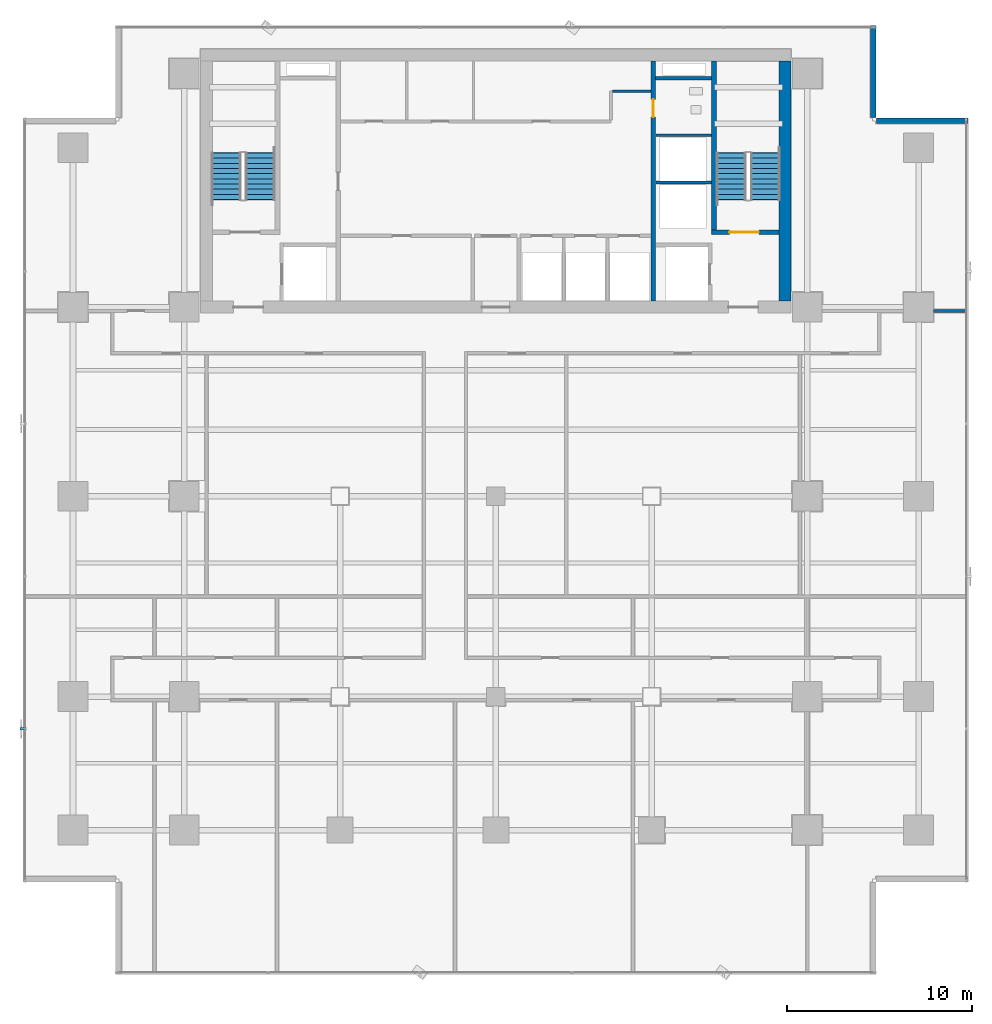
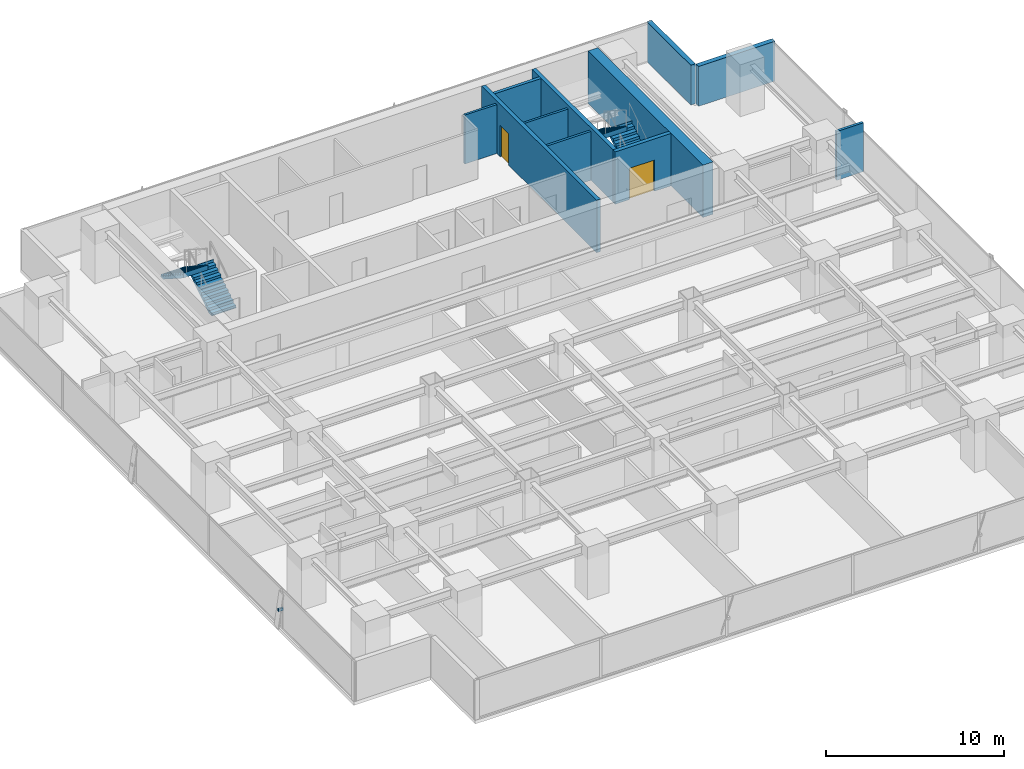
# One storey, part 30 of 37: 11 walls, 4 stair flights, 2 doors, 1 discrete accessory, 2 openings, 2 elements without a shape of their own.
"""IFC4 building model written with IfcOpenShell, lengths in metres."""

from ifc_helpers import new_model, si_unit, direction, frame, frame_2d, origin, origin_2d, place, context, subcontext, project, spatial, polyline, rectangle, outline, extrude, source, transform, mapped, material, layer, layer_set, material_profile, profile_set, type_object, element, fill, aggregate, save


model = new_model("IFC4")

# Units and contexts
model_context = context("Model", 3, precision=1e-05, world=origin(), true_north=direction((0.0, 1.0)))
body_context = subcontext(model_context, "Body", "Model", "MODEL_VIEW")
ifc_project = project(units=[si_unit("LENGTHUNIT", "METRE"), si_unit("AREAUNIT", "SQUARE_METRE"), si_unit("VOLUMEUNIT", "CUBIC_METRE"), si_unit("PLANEANGLEUNIT", "RADIAN"), si_unit("MASSUNIT", "GRAM", prefix="KILO")], contexts=[model_context])

# Site, building, storey
site_placement = place(None, origin())
site = spatial("IfcSite", under=ifc_project, at=site_placement, CompositionType="ELEMENT")
building_placement = place(site_placement, origin())
building = spatial("IfcBuilding", under=site, at=building_placement, Name="Sumidabori Civic Tower", CompositionType="ELEMENT")
storey_placement = place(building_placement, frame((0.0, 0.0, 110.0)))
storey = spatial("IfcBuildingStorey", under=building, at=storey_placement, Name="L28", CompositionType="ELEMENT", Elevation=110.0)

# Walls
ifc_material_1 = material(Name="Concrete C50/60", Category="concrete")
ifc_layer_1 = layer(ifc_material_1, 0.199951171875, Name="Concrete C50/60")
ifc_layer_set_1 = layer_set([ifc_layer_1], Name="Concrete C50/60")
wall_type_1 = type_object("IfcWallType", Name="WL-SHAFT-200", PredefinedType="SHEAR", material=ifc_layer_set_1)
shared_shape_1 = source(origin(), body_context, "Body", "SweptSolid", [
    extrude(rectangle(XDim=3.02001953125, YDim=0.199951171875, at=frame_2d((1.510009765625, 0.0))), origin(), (0.0, 0.0, 1.0), 3.60009765625),
])
wall_1_placement = place(storey_placement, frame((8.625, 22.550048828125, 0.0), z_axis=(0.0, 0.0, 1.0), x_axis=(1.0, 0.0, 0.0)))
element("IfcWall", 1, at=wall_1_placement, inside=storey, type_object=wall_type_1, Name="Core Shear Wall L28 RIS2-S", PredefinedType="SHEAR", context=body_context, shape_type="MappedRepresentation", body=[
    mapped(shared_shape_1, transform((0.0, 0.0, 0.0), x_axis=(1.0, 0.0, 0.0), y_axis=(0.0, 1.0, 0.0), z_axis=(0.0, 0.0, 1.0), scale=1.0)),
])
ifc_material_2 = material(Name="Concrete C60/75", Category="concrete")
ifc_layer_2 = layer(ifc_material_2, 0.64990234375, Name="Concrete C60/75")
ifc_layer_set_2 = layer_set([ifc_layer_2], Name="Concrete C60/75")
wall_type_2 = type_object("IfcWallType", Name="WL-CORE-650", PredefinedType="SHEAR", material=ifc_layer_set_2)
shared_shape_2 = source(origin(), body_context, "Body", "SweptSolid", [
    extrude(rectangle(XDim=12.9501953125, YDim=0.64990234375, at=frame_2d((6.47509765625, 0.0))), origin(), (0.0, 0.0, 1.0), 3.60009765625),
])
wall_2_placement = place(storey_placement, frame((15.60009765625, 10.52490234375, 0.0), z_axis=(0.0, 0.0, 1.0), x_axis=(0.0, 1.0, 0.0)))
element("IfcWall", 2, at=wall_2_placement, inside=storey, type_object=wall_type_2, Name="Core Shear Wall L28 E", PredefinedType="SHEAR", context=body_context, shape_type="MappedRepresentation", body=[
    mapped(shared_shape_2, transform((0.0, 0.0, 0.0), x_axis=(1.0, 0.0, 0.0), y_axis=(0.0, 1.0, 0.0), z_axis=(0.0, 0.0, 1.0), scale=1.0)),
])

# Wall, opening, door
ifc_layer_3 = layer(ifc_material_1, 0.25, Name="Concrete C50/60")
ifc_layer_set_3 = layer_set([ifc_layer_3], Name="Concrete C50/60")
wall_type_3 = type_object("IfcWallType", Name="WL-SHAFT-250", PredefinedType="SHEAR", material=ifc_layer_set_3)
shared_shape_3 = source(origin(), body_context, "Body", "SweptSolid", [
    extrude(rectangle(XDim=12.9501953125, YDim=0.25, at=frame_2d((6.47509765625, 0.0))), origin(), (0.0, 0.0, 1.0), 3.60009765625),
])
wall_3_placement = place(storey_placement, frame((8.5, 10.52490234375, 0.0), z_axis=(0.0, 0.0, 1.0), x_axis=(0.0, 1.0, 0.0)))
wall_3 = element("IfcWall", 3, at=wall_3_placement, inside=storey, type_object=wall_type_3, Name="Core Shear Wall L28 WEB-E", PredefinedType="SHEAR", context=body_context, shape_type="MappedRepresentation", body=[
    mapped(shared_shape_3, transform((0.0, 0.0, 0.0), x_axis=(1.0, 0.0, 0.0), y_axis=(0.0, 1.0, 0.0), z_axis=(0.0, 0.0, 1.0), scale=1.0)),
])
opening_1_placement = place(wall_3_placement, frame((9.925048828125, 0.0, 0.0)))
opening_1 = element("IfcOpeningElement", 4, at=opening_1_placement, cuts=wall_3, Name="Opening DR-2", PredefinedType="OPENING", context=body_context, shape_type="SweptSolid", body=[
    extrude(rectangle(XDim=0.949951171875, YDim=2.14990234375, at=frame_2d((0.47509765625, 1.074951171875))), frame((0.0, 0.136962890625, 0.0), z_axis=(0.0, -1.0, 0.0), x_axis=(1.0, 0.0, 0.0)), (0.0, 0.0, 1.0), 0.27392578125),
])
ifc_material_3 = material(Name="Japanese Hinoki Timber", Category="wood")
door_type_1 = type_object("IfcDoorType", Name="DR-INT-950", OperationType="NOTDEFINED", PredefinedType="DOOR", material=ifc_material_3)
shared_shape_4 = source(origin(), body_context, "Body", "SweptSolid", [
    extrude(rectangle(XDim=0.949951171875, YDim=2.14990234375, at=frame_2d((0.47509765625, 1.074951171875))), frame((0.0, 0.02490234375, 0.0), z_axis=(0.0, -1.0, 0.0), x_axis=(1.0, 0.0, 0.0)), (0.0, 0.0, 1.0), 0.050048828125),
])
door_1_placement = place(opening_1_placement, origin())
door_1 = element("IfcDoor", 5, at=door_1_placement, inside=storey, type_object=door_type_1, Name="Door DR:L28:WC-ACC", OperationType="SINGLE_SWING_RIGHT", OverallHeight=2.14990234375, OverallWidth=0.949951171875, PredefinedType="DOOR", context=body_context, shape_type="MappedRepresentation", body=[
    mapped(shared_shape_4, transform((0.0, 0.0, 0.0), x_axis=(1.0, 0.0, 0.0), y_axis=(0.0, 1.0, 0.0), z_axis=(0.0, 0.0, 1.0), scale=1.0)),
])
fill(opening_1, door_1)

shared_shape_5 = source(origin(), body_context, "Body", "SweptSolid", [
    extrude(rectangle(XDim=3.6298828125, YDim=0.25, at=frame_2d((1.81494140625, 0.0))), origin(), (0.0, 0.0, 1.0), 3.60009765625),
])
wall_4_placement = place(storey_placement, frame((11.64501953125, 14.25, 0.0), z_axis=(0.0, 0.0, 1.0), x_axis=(1.0, 0.0, 0.0)))
wall_4 = element("IfcWall", 6, at=wall_4_placement, inside=storey, type_object=wall_type_3, Name="Core Shear Wall L28 ST2-S", PredefinedType="SHEAR", context=body_context, shape_type="MappedRepresentation", body=[
    mapped(shared_shape_5, transform((0.0, 0.0, 0.0), x_axis=(1.0, 0.0, 0.0), y_axis=(0.0, 1.0, 0.0), z_axis=(0.0, 0.0, 1.0), scale=1.0)),
])
opening_2_placement = place(wall_4_placement, frame((0.949951171875, 0.0, 0.0)))
opening_2 = element("IfcOpeningElement", 7, at=opening_2_placement, cuts=wall_4, Name="Opening DR-FD4", PredefinedType="OPENING", context=body_context, shape_type="SweptSolid", body=[
    extrude(rectangle(XDim=1.60009765625, YDim=2.14990234375, at=frame_2d((0.800048828125, 1.074951171875))), frame((0.0, 0.136962890625, 0.0), z_axis=(0.0, -1.0, 0.0), x_axis=(1.0, 0.0, 0.0)), (0.0, 0.0, 1.0), 0.27392578125),
])
ifc_material_4 = material(Name="Steel SN490", Category="steel")
door_type_2 = type_object("IfcDoorType", Name="DR-FD4", OperationType="DOUBLE_DOOR_SINGLE_SWING", PredefinedType="DOOR", material=ifc_material_4)
shared_shape_6 = source(origin(), body_context, "Body", "SweptSolid", [
    extrude(rectangle(XDim=1.60009765625, YDim=2.14990234375, at=frame_2d((0.800048828125, 1.074951171875))), frame((0.0, 0.02490234375, 0.0), z_axis=(0.0, -1.0, 0.0), x_axis=(1.0, 0.0, 0.0)), (0.0, 0.0, 1.0), 0.050048828125),
])
door_2_placement = place(opening_2_placement, origin())
door_2 = element("IfcDoor", 8, at=door_2_placement, inside=storey, type_object=door_type_2, Name="Door DR:L28:ST2", OperationType="DOUBLE_DOOR_SINGLE_SWING", OverallHeight=2.14990234375, OverallWidth=1.60009765625, PredefinedType="DOOR", context=body_context, shape_type="MappedRepresentation", body=[
    mapped(shared_shape_6, transform((0.0, 0.0, 0.0), x_axis=(1.0, 0.0, 0.0), y_axis=(0.0, 1.0, 0.0), z_axis=(0.0, 0.0, 1.0), scale=1.0)),
])
fill(opening_2, door_2)

# Walls
shared_shape_7 = source(origin(), body_context, "Body", "SweptSolid", [
    extrude(rectangle(XDim=9.10009765625, YDim=0.25, at=frame_2d((4.550048828125, 0.0))), origin(), (0.0, 0.0, 1.0), 3.60009765625),
])
wall_5_placement = place(storey_placement, frame((11.77001953125, 14.375, 0.0), z_axis=(0.0, 0.0, 1.0), x_axis=(0.0, 1.0, 0.0)))
element("IfcWall", 9, at=wall_5_placement, inside=storey, type_object=wall_type_3, Name="Core Shear Wall L28 ST2-W", PredefinedType="SHEAR", context=body_context, shape_type="MappedRepresentation", body=[
    mapped(shared_shape_7, transform((0.0, 0.0, 0.0), x_axis=(1.0, 0.0, 0.0), y_axis=(0.0, 1.0, 0.0), z_axis=(0.0, 0.0, 1.0), scale=1.0)),
])
ifc_material_5 = material(Name="Precast concrete C40/50", Category="concrete")
ifc_layer_4 = layer(ifc_material_5, 0.300048828125, Name="Precast concrete C40/50")
ifc_layer_set_4 = layer_set([ifc_layer_4], Name="Precast concrete C40/50")
wall_type_4 = type_object("IfcWallType", Name="WL-EXT-POD300", PredefinedType="STANDARD", material=ifc_layer_set_4)
shared_shape_8 = source(origin(), body_context, "Body", "SweptSolid", [
    extrude(rectangle(XDim=4.9599609375, YDim=0.300048828125, at=frame_2d((2.47998046875, 0.0))), origin(), (0.0, 0.0, 1.0), 2.739990234375),
])
for number, where, z_axis, x_axis, name in (
    (10, (25.47998046875, 20.25, 0.0), (0.0, 0.0, 1.0), (-1.0, 0.0, 0.0), "Notched Corner Spandrel Band L28-05"),
    (11, (20.35009765625, 20.419921875, 0.0), (0.0, 0.0, 1.0), (0.0, 1.0, 0.0), "Notched Corner Spandrel Band L28-06"),
):
    element("IfcWall", number, at=place(storey_placement, frame(where, z_axis=z_axis, x_axis=x_axis)), inside=storey, type_object=wall_type_4, Name=name, PredefinedType="STANDARD", context=body_context, shape_type="MappedRepresentation", body=[
        mapped(shared_shape_8, transform((0.0, 0.0, 0.0), x_axis=(1.0, 0.0, 0.0), y_axis=(0.0, 1.0, 0.0), z_axis=(0.0, 0.0, 1.0), scale=1.0)),
    ])
ifc_material_6 = material(Name="Gypsum Plasterboard Acoustic Partition")
ifc_layer_5 = layer(ifc_material_6, 0.14990234375, Name="Gypsum Plasterboard Acoustic Partition")
ifc_layer_set_5 = layer_set([ifc_layer_5], Name="Gypsum Plasterboard Acoustic Partition")
wall_type_5 = type_object("IfcWallType", Name="WL-PART-150", PredefinedType="PARTITIONING", material=ifc_layer_set_5)
shared_shape_9 = source(origin(), body_context, "Body", "SweptSolid", [
    extrude(rectangle(XDim=3.010009765625, YDim=0.14990234375, at=frame_2d((1.5048828125, 0.0))), origin(), (0.0, 0.0, 1.0), 3.360107421875),
])
for number, where, z_axis, x_axis, name in (
    (12, (8.6298828125, 16.919921875, 0.0), (0.0, 0.0, 1.0), (1.0, 0.0, 0.0), "Interior Partition WL:L28:DIV-OBS1"),
    (13, (8.6298828125, 19.469970703125, 0.0), (0.0, 0.0, 1.0), (1.0, 0.0, 0.0), "Interior Partition WL:L28:DIV-OBS2"),
):
    element("IfcWall", number, at=place(storey_placement, frame(where, z_axis=z_axis, x_axis=x_axis)), inside=storey, type_object=wall_type_5, Name=name, PredefinedType="PARTITIONING", context=body_context, shape_type="MappedRepresentation", body=[
        mapped(shared_shape_9, transform((0.0, 0.0, 0.0), x_axis=(1.0, 0.0, 0.0), y_axis=(0.0, 1.0, 0.0), z_axis=(0.0, 0.0, 1.0), scale=1.0)),
    ])
shared_shape_10 = source(origin(), body_context, "Body", "SweptSolid", [
    extrude(rectangle(XDim=2.070068359375, YDim=0.14990234375, at=frame_2d((1.03515625, 0.0))), origin(), (0.0, 0.0, 1.0), 3.360107421875),
])
wall_6_placement = place(storey_placement, frame((6.300048828125, 21.85009765625, 0.0), z_axis=(0.0, 0.0, 1.0), x_axis=(1.0, 0.0, 0.0)))
element("IfcWall", 14, at=wall_6_placement, inside=storey, type_object=wall_type_5, Name="Interior Partition WL:L28:CBAND-ME2", PredefinedType="PARTITIONING", context=body_context, shape_type="MappedRepresentation", body=[
    mapped(shared_shape_10, transform((0.0, 0.0, 0.0), x_axis=(1.0, 0.0, 0.0), y_axis=(0.0, 1.0, 0.0), z_axis=(0.0, 0.0, 1.0), scale=1.0)),
])
ifc_layer_6 = layer(ifc_material_6, 0.1650390625, Name="Gypsum Plasterboard Acoustic Partition")
ifc_layer_set_6 = layer_set([ifc_layer_6], Name="Gypsum Plasterboard Acoustic Partition")
wall_type_6 = type_object("IfcWallType", Name="WL-PART-165", PredefinedType="PARTITIONING", material=ifc_layer_set_6)
shared_shape_11 = source(origin(), body_context, "Body", "SweptSolid", [
    extrude(rectangle(XDim=1.739990234375, YDim=0.1650390625, at=frame_2d((0.8701171875, 0.0))), origin(), (0.0, 0.0, 1.0), 3.360107421875),
])
wall_7_placement = place(storey_placement, frame((23.610107421875, 10.0, 0.0), z_axis=(0.0, 0.0, 1.0), x_axis=(1.0, 0.0, 0.0)))
element("IfcWall", 15, at=wall_7_placement, inside=storey, type_object=wall_type_6, Name="Interior Partition WL:L28:FLK-NE-2", PredefinedType="PARTITIONING", context=body_context, shape_type="MappedRepresentation", body=[
    mapped(shared_shape_11, transform((0.0, 0.0, 0.0), x_axis=(1.0, 0.0, 0.0), y_axis=(0.0, 1.0, 0.0), z_axis=(0.0, 0.0, 1.0), scale=1.0)),
])

# Stair, stair flights
ifc_material_7 = material(Name="Concrete C40/50", Category="concrete")
stair_type = type_object("IfcStairType", Name="ST-CORE-1600", PredefinedType="HALF_TURN_STAIR", material=ifc_material_7)
stair_1_placement = place(storey_placement, origin())
stair_1 = element("IfcStair", 16, at=stair_1_placement, inside=storey, type_object=stair_type, Name="L28 ST-1", PredefinedType="HALF_TURN_STAIR")
stair_flight_type = type_object("IfcStairFlightType", Name="SF-CORE-1600", PredefinedType="STRAIGHT", material=ifc_material_7)
shared_shape_12 = source(origin(), body_context, "Body", "SweptSolid", [
    extrude(outline(polyline([(-0.02490234375, 0.0), (-0.02490234375, 0.0400390625), (0.0, 0.0400390625), (0.0, 0.179931640625), (0.280029296875, 0.179931640625), (0.280029296875, 0.360107421875), (0.56005859375, 0.360107421875), (0.56005859375, 0.5400390625), (0.840087890625, 0.5400390625), (0.840087890625, 0.719970703125), (1.1201171875, 0.719970703125), (1.1201171875, 0.89990234375), (1.39990234375, 0.89990234375), (1.39990234375, 1.080078125), (1.679931640625, 1.080078125), (1.679931640625, 1.260009765625), (1.9599609375, 1.260009765625), (1.9599609375, 1.43994140625), (2.239990234375, 1.43994140625), (2.239990234375, 1.6201171875), (2.52001953125, 1.6201171875), (2.52001953125, 1.800048828125), (2.544921875, 1.800048828125), (2.544921875, 1.650146484375), (2.52001953125, 1.44189453125), (0.277099609375, 0.0), (-0.02490234375, 0.0)])), frame((0.0, 0.800048828125, 0.0), z_axis=(0.0, -1.0, 0.0), x_axis=(1.0, 0.0, 0.0)), (0.0, 0.0, 1.0), 1.60009765625),
])
stair_flight_1_placement = place(storey_placement, frame((-12.699951171875, 16.0, 0.0), z_axis=(0.0, 0.0, 1.0), x_axis=(0.0, 1.0, 0.0)))
stair_flight_1 = element("IfcStairFlight", 17, at=stair_flight_1_placement, type_object=stair_flight_type, Name="ST-1 flight 1", NumberOfRisers=10, NumberOfTreads=9, PredefinedType="STRAIGHT", RiserHeight=0.18, TreadLength=0.28, context=body_context, shape_type="MappedRepresentation", body=[
    mapped(shared_shape_12, transform((0.0, 0.0, 0.0), x_axis=(1.0, 0.0, 0.0), y_axis=(0.0, 1.0, 0.0), z_axis=(0.0, 0.0, 1.0), scale=1.0)),
])
stair_flight_2_placement = place(storey_placement, frame((-14.5400390625, 18.52001953125, 1.800048828125), z_axis=(0.0, 0.0, 1.0), x_axis=(0.0, -1.0, 0.0)))
stair_flight_2 = element("IfcStairFlight", 18, at=stair_flight_2_placement, type_object=stair_flight_type, Name="ST-1 flight 2", NumberOfRisers=10, NumberOfTreads=9, PredefinedType="STRAIGHT", RiserHeight=0.18, TreadLength=0.28, context=body_context, shape_type="MappedRepresentation", body=[
    mapped(shared_shape_12, transform((0.0, 0.0, 0.0), x_axis=(1.0, 0.0, 0.0), y_axis=(0.0, 1.0, 0.0), z_axis=(0.0, 0.0, 1.0), scale=1.0)),
])
aggregate(stair_1, [stair_flight_1, stair_flight_2])

stair_2_placement = place(storey_placement, origin())
stair_2 = element("IfcStair", 19, at=stair_2_placement, inside=storey, type_object=stair_type, Name="L28 ST-2", PredefinedType="HALF_TURN_STAIR")
stair_flight_3_placement = place(storey_placement, frame((14.5400390625, 16.0, 0.0), z_axis=(0.0, 0.0, 1.0), x_axis=(0.0, 1.0, 0.0)))
stair_flight_3 = element("IfcStairFlight", 20, at=stair_flight_3_placement, type_object=stair_flight_type, Name="ST-2 flight 1", NumberOfRisers=10, NumberOfTreads=9, PredefinedType="STRAIGHT", RiserHeight=0.18, TreadLength=0.28, context=body_context, shape_type="MappedRepresentation", body=[
    mapped(shared_shape_12, transform((0.0, 0.0, 0.0), x_axis=(1.0, 0.0, 0.0), y_axis=(0.0, 1.0, 0.0), z_axis=(0.0, 0.0, 1.0), scale=1.0)),
])
stair_flight_4_placement = place(storey_placement, frame((12.699951171875, 18.52001953125, 1.800048828125), z_axis=(0.0, 0.0, 1.0), x_axis=(0.0, -1.0, 0.0)))
stair_flight_4 = element("IfcStairFlight", 21, at=stair_flight_4_placement, type_object=stair_flight_type, Name="ST-2 flight 2", NumberOfRisers=10, NumberOfTreads=9, PredefinedType="STRAIGHT", RiserHeight=0.18, TreadLength=0.28, context=body_context, shape_type="MappedRepresentation", body=[
    mapped(shared_shape_12, transform((0.0, 0.0, 0.0), x_axis=(1.0, 0.0, 0.0), y_axis=(0.0, 1.0, 0.0), z_axis=(0.0, 0.0, 1.0), scale=1.0)),
])
aggregate(stair_2, [stair_flight_3, stair_flight_4])

# Discrete accessory
ifc_material_8 = material(Name="Stainless Steel Hairline Finish", Category="steel")
ifc_material_profile = material_profile(ifc_material_8, rectangle(XDim=0.1201171875, YDim=0.179931640625, at=origin_2d()), Name="STEEL BRACKET 180x120")
ifc_profile_set = profile_set([ifc_material_profile], Name="Stainless Steel Hairline Finish")
discrete_accessory_type = type_object("IfcDiscreteAccessoryType", Name="AC-BRK-180", PredefinedType="BRACKET", material=ifc_profile_set)
shared_shape_13 = source(origin(), body_context, "Body", "SweptSolid", [
    extrude(rectangle(XDim=0.1201171875, YDim=0.179931640625, at=origin_2d()), origin(), (0.0, 0.0, 1.0), 0.329833984375),
])
discrete_accessory_placement = place(storey_placement, frame((-25.330078125, -12.5419921875, 1.360107421875), z_axis=(-1.0, 0.0, 0.0), x_axis=(0.0, -1.0, 0.0)))
element("IfcDiscreteAccessory", 22, at=discrete_accessory_placement, inside=storey, type_object=discrete_accessory_type, Name="Bronze Fin Fixing Bracket L28-04", PredefinedType="BRACKET", context=body_context, shape_type="MappedRepresentation", body=[
    mapped(shared_shape_13, transform((0.0, 0.0, 0.0), x_axis=(1.0, 0.0, 0.0), y_axis=(0.0, 1.0, 0.0), z_axis=(0.0, 0.0, 1.0), scale=1.0)),
])

save(model, "model.ifc")
